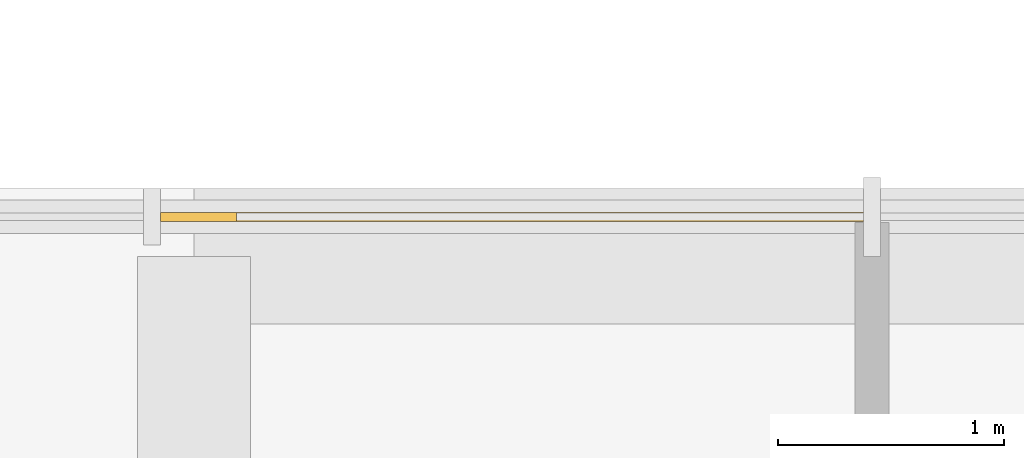
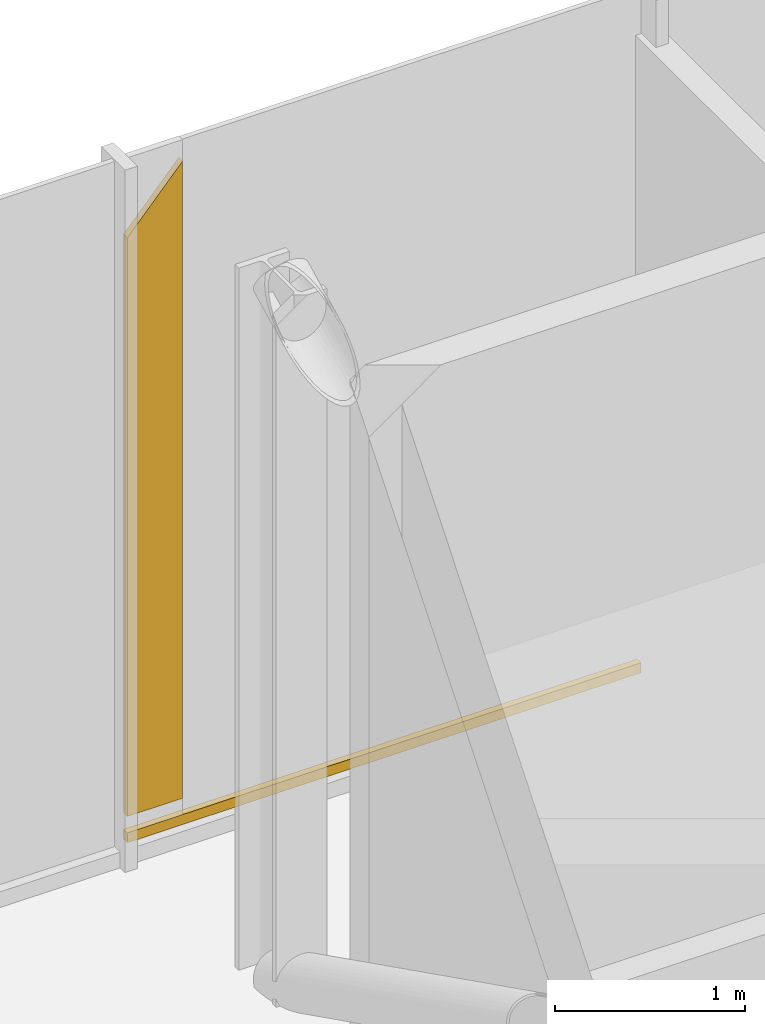
# One storey, part 23 of 25: 2 coverings.
"""IFC4 building model written with IfcOpenShell, lengths in metres."""

from ifc_helpers import new_model, si_unit, direction, frame, origin, place, context, subcontext, project, spatial, polyline, outline, extrude, material, layer, layer_set, type_object, element, save


model = new_model("IFC4")

# Units and contexts
model_context = context("Model", 3, precision=1e-05, world=origin(), true_north=direction((0.0, 1.0)))
body_context = subcontext(model_context, "Body", "Model", "MODEL_VIEW")
ifc_project = project(units=[si_unit("LENGTHUNIT", "METRE"), si_unit("AREAUNIT", "SQUARE_METRE"), si_unit("VOLUMEUNIT", "CUBIC_METRE"), si_unit("PLANEANGLEUNIT", "RADIAN"), si_unit("MASSUNIT", "GRAM", prefix="KILO")], contexts=[model_context])

# Site, building, storey
site_placement = place(None, origin())
site = spatial("IfcSite", under=ifc_project, at=site_placement, CompositionType="ELEMENT")
building_placement = place(site_placement, origin())
building = spatial("IfcBuilding", under=site, at=building_placement, Name="Malebo Sky Hospital", CompositionType="ELEMENT")
storey_placement = place(building_placement, frame((0.0, 0.0, 16.5)))
storey = spatial("IfcBuildingStorey", under=building, at=storey_placement, Name="L03", CompositionType="ELEMENT", Elevation=16.5)

# Coverings
ifc_material = material(Name="Anodised aluminium, natural silver insulated infill panel", Category="aluminium")
ifc_layer = layer(ifc_material, 0.0400390625)
ifc_layer_set = layer_set([ifc_layer], Name="BRACE INFILL PANEL 40")
covering_type = type_object("IfcCoveringType", Name="BRACE INFILL PANEL 40", PredefinedType="CLADDING", material=ifc_layer_set)
covering_1_placement = place(storey_placement, frame((15.51953125, 85.875, 0.26904296875), z_axis=(0.0, 0.0, 1.0), x_axis=(-1.0, 0.0, 0.0)))
element("IfcCovering", 1, at=covering_1_placement, inside=storey, type_object=covering_type, Name="Brace infill panel 6.1", PredefinedType="CLADDING", context=body_context, shape_type="SweptSolid", body=[
    extrude(outline(polyline([(-0.167724609375, 0.0), (0.16796875, 0.0), (0.16796875, 3.70849609375), (-0.167724609375, 4.083740234375), (-0.167724609375, 0.0)])), frame((0.0, 0.02001953125, 0.0), z_axis=(0.0, -1.0, 0.0), x_axis=(1.0, 0.0, 0.0)), (0.0, 0.0, 1.0), 0.0400390625),
])
covering_2_placement = place(storey_placement, frame((16.908935546875, 85.875, 0.10009765625), z_axis=(0.0, 0.0, 1.0), x_axis=(-1.0, 0.0, 0.0)))
element("IfcCovering", 2, at=covering_2_placement, inside=storey, type_object=covering_type, Name="Brace infill panel 6.2", PredefinedType="CLADDING", context=body_context, shape_type="SweptSolid", body=[
    extrude(outline(polyline([(-1.55712890625, 0.0), (1.55712890625, 0.0), (1.55712890625, 0.063720703125), (-1.55712890625, 0.063720703125), (-1.55712890625, 0.0)])), frame((0.0, 0.02001953125, 0.0), z_axis=(0.0, -1.0, 0.0), x_axis=(1.0, 0.0, 0.0)), (0.0, 0.0, 1.0), 0.0400390625),
])

save(model, "model.ifc")
